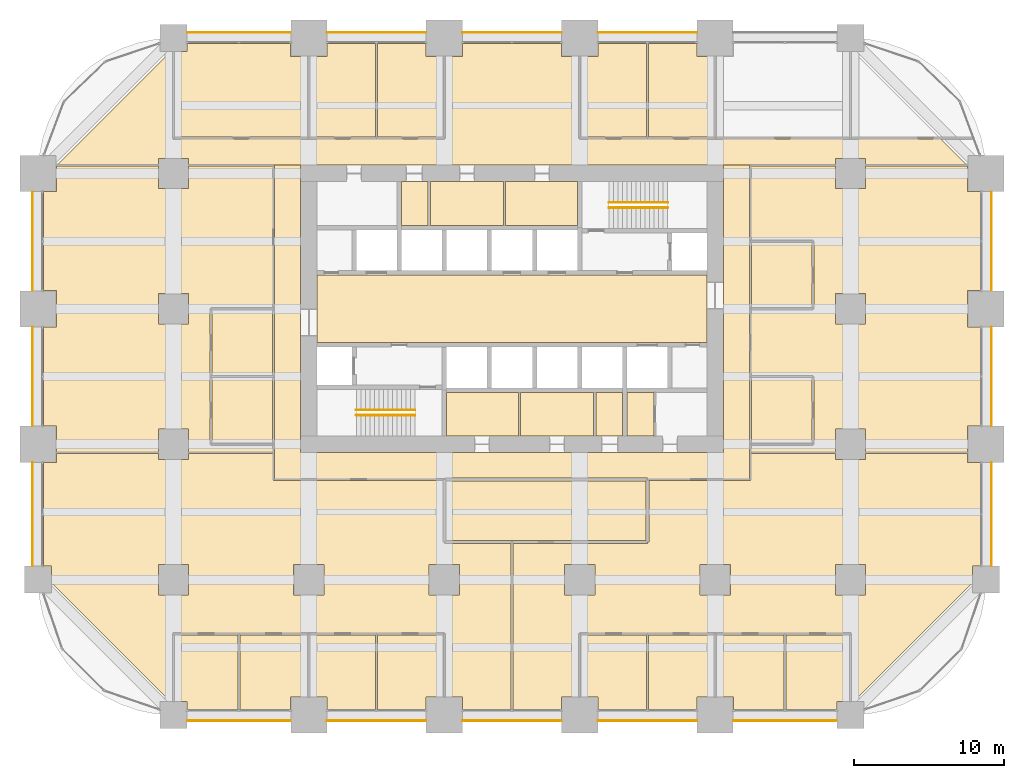
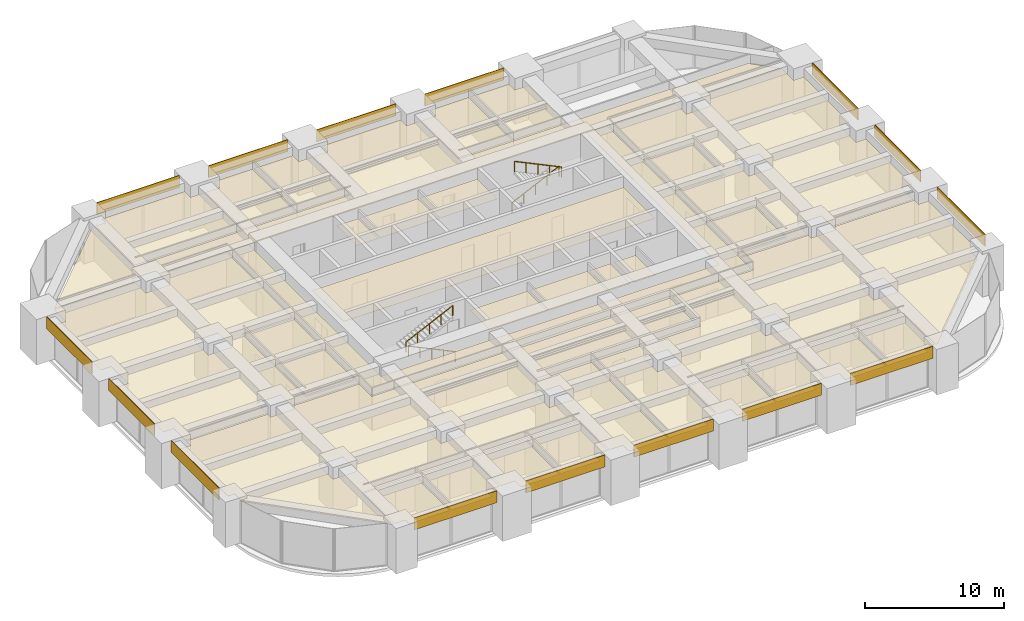
# One storey, part 40 of 41: 47 coverings, 4 railings.
"""IFC4 building model written with IfcOpenShell, lengths in metres."""

from ifc_helpers import new_model, si_unit, direction, frame, frame_2d, origin, origin_2d, place, context, subcontext, project, spatial, polyline, rectangle, circle, outline, extrude, material, layer, layer_set, type_object, element, save


model = new_model("IFC4")

# Units and contexts
model_context = context("Model", 3, precision=1e-05, world=origin(), true_north=direction((0.0, 1.0)))
body_context = subcontext(model_context, "Body", "Model", "MODEL_VIEW")
ifc_project = project(units=[si_unit("LENGTHUNIT", "METRE"), si_unit("AREAUNIT", "SQUARE_METRE"), si_unit("VOLUMEUNIT", "CUBIC_METRE"), si_unit("PLANEANGLEUNIT", "RADIAN"), si_unit("MASSUNIT", "GRAM", prefix="KILO")], contexts=[model_context])

# Site, building, storey
site_placement = place(None, origin())
site = spatial("IfcSite", under=ifc_project, at=site_placement, CompositionType="ELEMENT")
building_placement = place(site_placement, origin())
building = spatial("IfcBuilding", under=site, at=building_placement, Name="Zorevar Civic Tower", CompositionType="ELEMENT")
storey_placement = place(building_placement, frame((0.0, 0.0, 105.0)))
storey = spatial("IfcBuildingStorey", under=building, at=storey_placement, Name="L25", CompositionType="ELEMENT", Elevation=105.0)

# Railings
ifc_material_1 = material(Name="Black steel handrail", Category="steel")
railing_type = type_object("IfcRailingType", Name="Handrail HR1 900", PredefinedType="HANDRAIL", material=ifc_material_1)
railing_1_placement = place(storey_placement, frame((25.050048828125, 19.925048828125, 0.142822265625)))
element("IfcRailing", 1, at=railing_1_placement, inside=storey, type_object=railing_type, Name="Handrail HR1 ST1 L25", PredefinedType="HANDRAIL", context=body_context, shape_type="SweptSolid", body=[
    extrude(circle(Radius=0.02392578125, at=origin_2d()), frame((0.0, 0.0, 0.8759765625), z_axis=(-0.902863652845, 0.0, 0.429926998885), x_axis=(0.0, -1.0, 0.0)), (0.0, 0.0, 1.0), 4.31982421875),
    extrude(circle(Radius=0.02099609375, at=origin_2d()), origin(), (0.0, 0.0, 1.0), 0.851806640625),
    extrude(circle(Radius=0.02099609375, at=origin_2d()), frame((-0.97509765625, 0.0, 0.46435546875)), (0.0, 0.0, 1.0), 0.851806640625),
    extrude(circle(Radius=0.02099609375, at=origin_2d()), frame((-1.9501953125, 0.0, 0.9287109375)), (0.0, 0.0, 1.0), 0.851806640625),
    extrude(circle(Radius=0.02099609375, at=origin_2d()), frame((-2.925048828125, 0.0, 1.392822265625)), (0.0, 0.0, 1.0), 0.851806640625),
    extrude(circle(Radius=0.02099609375, at=origin_2d()), frame((-3.900146484375, 0.0, 1.857177734375)), (0.0, 0.0, 1.0), 0.851806640625),
])
for number, where, name in (
    (2, (21.14990234375, 20.27490234375, 2.142822265625), "Handrail HR1 ST1 L25"),
    (3, (37.949951171875, 34.074951171875, 0.142822265625), "Handrail HR1 ST2 L25"),
):
    element("IfcRailing", number, at=place(storey_placement, frame(where)), inside=storey, type_object=railing_type, Name=name, PredefinedType="HANDRAIL", context=body_context, shape_type="SweptSolid", body=[
        extrude(circle(Radius=0.02392578125, at=origin_2d()), frame((0.0, 0.0, 0.8759765625), z_axis=(0.902863652845, 0.0, 0.429926998885), x_axis=(0.0, 1.0, 0.0)), (0.0, 0.0, 1.0), 4.31982421875),
        extrude(circle(Radius=0.02099609375, at=origin_2d()), origin(), (0.0, 0.0, 1.0), 0.851806640625),
        extrude(circle(Radius=0.02099609375, at=origin_2d()), frame((0.97509765625, 0.0, 0.46435546875)), (0.0, 0.0, 1.0), 0.851806640625),
        extrude(circle(Radius=0.02099609375, at=origin_2d()), frame((1.9501953125, 0.0, 0.9287109375)), (0.0, 0.0, 1.0), 0.851806640625),
        extrude(circle(Radius=0.02099609375, at=origin_2d()), frame((2.925048828125, 0.0, 1.392822265625)), (0.0, 0.0, 1.0), 0.851806640625),
        extrude(circle(Radius=0.02099609375, at=origin_2d()), frame((3.900146484375, 0.0, 1.857177734375)), (0.0, 0.0, 1.0), 0.851806640625),
    ])
railing_2_placement = place(storey_placement, frame((41.85009765625, 33.72509765625, 2.142822265625)))
element("IfcRailing", 4, at=railing_2_placement, inside=storey, type_object=railing_type, Name="Handrail HR1 ST2 L25", PredefinedType="HANDRAIL", context=body_context, shape_type="SweptSolid", body=[
    extrude(circle(Radius=0.02392578125, at=origin_2d()), frame((0.0, 0.0, 0.8759765625), z_axis=(-0.902863652845, 0.0, 0.429926998885), x_axis=(0.0, -1.0, 0.0)), (0.0, 0.0, 1.0), 4.31982421875),
    extrude(circle(Radius=0.02099609375, at=origin_2d()), origin(), (0.0, 0.0, 1.0), 0.851806640625),
    extrude(circle(Radius=0.02099609375, at=origin_2d()), frame((-0.97509765625, 0.0, 0.46435546875)), (0.0, 0.0, 1.0), 0.851806640625),
    extrude(circle(Radius=0.02099609375, at=origin_2d()), frame((-1.9501953125, 0.0, 0.9287109375)), (0.0, 0.0, 1.0), 0.851806640625),
    extrude(circle(Radius=0.02099609375, at=origin_2d()), frame((-2.925048828125, 0.0, 1.392822265625)), (0.0, 0.0, 1.0), 0.851806640625),
    extrude(circle(Radius=0.02099609375, at=origin_2d()), frame((-3.900146484375, 0.0, 1.857177734375)), (0.0, 0.0, 1.0), 0.851806640625),
])

# Coverings
ifc_material_2 = material(Name="Moisture-resistant gypsum board")
ifc_layer_1 = layer(ifc_material_2, 0.012451171875)
ifc_layer_set_1 = layer_set([ifc_layer_1], Name="Moisture-resistant ceiling SC3")
covering_type_1 = type_object("IfcCoveringType", Name="Moisture-resistant ceiling SC3", PredefinedType="CEILING", material=ifc_layer_set_1)
covering_1_placement = place(storey_placement, frame((0.0, 0.0, 3.0)))
element("IfcCovering", 5, at=covering_1_placement, inside=storey, type_object=covering_type_1, Name="Ceiling L25-05", PredefinedType="CEILING", context=body_context, shape_type="SweptSolid", body=[
    extrude(outline(polyline([(31.925048828125, 18.550048828125), (31.925048828125, 21.449951171875), (27.14990234375, 21.449951171875), (27.14990234375, 18.550048828125), (31.925048828125, 18.550048828125)])), origin(), (0.0, 0.0, 1.0), 0.012451171875),
])
covering_2_placement = place(storey_placement, frame((0.0, 0.0, 3.0)))
element("IfcCovering", 6, at=covering_2_placement, inside=storey, type_object=covering_type_1, Name="Ceiling L25-06", PredefinedType="CEILING", context=body_context, shape_type="SweptSolid", body=[
    extrude(outline(polyline([(36.925048828125, 18.550048828125), (36.925048828125, 21.449951171875), (32.074951171875, 21.449951171875), (32.074951171875, 18.550048828125), (36.925048828125, 18.550048828125)])), origin(), (0.0, 0.0, 1.0), 0.012451171875),
])
covering_3_placement = place(storey_placement, frame((0.0, 0.0, 3.0)))
element("IfcCovering", 7, at=covering_3_placement, inside=storey, type_object=covering_type_1, Name="Ceiling L25-07", PredefinedType="CEILING", context=body_context, shape_type="SweptSolid", body=[
    extrude(outline(polyline([(38.85009765625, 18.550048828125), (38.85009765625, 21.449951171875), (37.074951171875, 21.449951171875), (37.074951171875, 18.550048828125), (38.85009765625, 18.550048828125)])), origin(), (0.0, 0.0, 1.0), 0.012451171875),
])
covering_4_placement = place(storey_placement, frame((0.0, 0.0, 3.0)))
element("IfcCovering", 8, at=covering_4_placement, inside=storey, type_object=covering_type_1, Name="Ceiling L25-08", PredefinedType="CEILING", context=body_context, shape_type="SweptSolid", body=[
    extrude(outline(polyline([(35.85009765625, 32.550048828125), (35.85009765625, 35.449951171875), (31.074951171875, 35.449951171875), (31.074951171875, 32.550048828125), (35.85009765625, 32.550048828125)])), origin(), (0.0, 0.0, 1.0), 0.012451171875),
])
covering_5_placement = place(storey_placement, frame((0.0, 0.0, 3.0)))
element("IfcCovering", 9, at=covering_5_placement, inside=storey, type_object=covering_type_1, Name="Ceiling L25-09", PredefinedType="CEILING", context=body_context, shape_type="SweptSolid", body=[
    extrude(outline(polyline([(30.925048828125, 32.550048828125), (30.925048828125, 35.449951171875), (26.074951171875, 35.449951171875), (26.074951171875, 32.550048828125), (30.925048828125, 32.550048828125)])), origin(), (0.0, 0.0, 1.0), 0.012451171875),
])
covering_6_placement = place(storey_placement, frame((0.0, 0.0, 3.0)))
element("IfcCovering", 10, at=covering_6_placement, inside=storey, type_object=covering_type_1, Name="Ceiling L25-10", PredefinedType="CEILING", context=body_context, shape_type="SweptSolid", body=[
    extrude(outline(polyline([(25.925048828125, 32.550048828125), (25.925048828125, 35.449951171875), (24.14990234375, 35.449951171875), (24.14990234375, 32.550048828125), (25.925048828125, 32.550048828125)])), origin(), (0.0, 0.0, 1.0), 0.012451171875),
])
ifc_material_3 = material(Name="Black anodised aluminium spandrel panel", Category="aluminium")
ifc_layer_2 = layer(ifc_material_3, 0.050048828125)
ifc_layer_set_2 = layer_set([ifc_layer_2], Name="Spandrel cladding SP1")
covering_type_2 = type_object("IfcCoveringType", Name="Spandrel cladding SP1", PredefinedType="CLADDING", material=ifc_layer_set_2)
covering_7_placement = place(storey_placement, frame((9.89990234375, -0.375, 2.949951171875), z_axis=(0.0, 0.0, 1.0), x_axis=(1.0, 0.0, 0.0)))
element("IfcCovering", 11, at=covering_7_placement, inside=storey, type_object=covering_type_2, Name="Spandrel cladding L26", PredefinedType="CLADDING", context=body_context, shape_type="SweptSolid", body=[
    extrude(rectangle(XDim=6.900146484375, YDim=0.050048828125, at=frame_2d((3.4501953125, 0.0))), origin(), (0.0, 0.0, 1.0), 1.050048828125),
])
for number, where, z_axis, x_axis, name in (
    (12, (19.199951171875, -0.375, 2.949951171875), (0.0, 0.0, 1.0), (1.0, 0.0, 0.0), "Spandrel cladding L26"),
    (13, (28.199951171875, -0.375, 2.949951171875), (0.0, 0.0, 1.0), (1.0, 0.0, 0.0), "Spandrel cladding L26"),
    (14, (37.199951171875, -0.375, 2.949951171875), (0.0, 0.0, 1.0), (1.0, 0.0, 0.0), "Spandrel cladding L26"),
):
    element("IfcCovering", number, at=place(storey_placement, frame(where, z_axis=z_axis, x_axis=x_axis)), inside=storey, type_object=covering_type_2, Name=name, PredefinedType="CLADDING", context=body_context, shape_type="SweptSolid", body=[
        extrude(rectangle(XDim=6.60009765625, YDim=0.050048828125, at=frame_2d((3.300048828125, 0.0))), origin(), (0.0, 0.0, 1.0), 1.050048828125),
    ])
for number, where, z_axis, x_axis, name in (
    (15, (46.199951171875, -0.375, 2.949951171875), (0.0, 0.0, 1.0), (1.0, 0.0, 0.0), "Spandrel cladding L26"),
    (16, (9.89990234375, 45.375, 2.949951171875), (0.0, 0.0, 1.0), (1.0, 0.0, 0.0), "Spandrel cladding L26"),
):
    element("IfcCovering", number, at=place(storey_placement, frame(where, z_axis=z_axis, x_axis=x_axis)), inside=storey, type_object=covering_type_2, Name=name, PredefinedType="CLADDING", context=body_context, shape_type="SweptSolid", body=[
        extrude(rectangle(XDim=6.900146484375, YDim=0.050048828125, at=frame_2d((3.4501953125, 0.0))), origin(), (0.0, 0.0, 1.0), 1.050048828125),
    ])
for number, where, z_axis, x_axis, name in (
    (17, (19.199951171875, 45.375, 2.949951171875), (0.0, 0.0, 1.0), (1.0, 0.0, 0.0), "Spandrel cladding L26"),
    (18, (28.199951171875, 45.375, 2.949951171875), (0.0, 0.0, 1.0), (1.0, 0.0, 0.0), "Spandrel cladding L26"),
    (19, (37.199951171875, 45.375, 2.949951171875), (0.0, 0.0, 1.0), (1.0, 0.0, 0.0), "Spandrel cladding L26"),
):
    element("IfcCovering", number, at=place(storey_placement, frame(where, z_axis=z_axis, x_axis=x_axis)), inside=storey, type_object=covering_type_2, Name=name, PredefinedType="CLADDING", context=body_context, shape_type="SweptSolid", body=[
        extrude(rectangle(XDim=6.60009765625, YDim=0.050048828125, at=frame_2d((3.300048828125, 0.0))), origin(), (0.0, 0.0, 1.0), 1.050048828125),
    ])
covering_8_placement = place(storey_placement, frame((-0.375, 9.89990234375, 2.949951171875), z_axis=(0.0, 0.0, 1.0), x_axis=(0.0, 1.0, 0.0)))
element("IfcCovering", 20, at=covering_8_placement, inside=storey, type_object=covering_type_2, Name="Spandrel cladding L26", PredefinedType="CLADDING", context=body_context, shape_type="SweptSolid", body=[
    extrude(rectangle(XDim=6.900146484375, YDim=0.050048828125, at=frame_2d((3.4501953125, 0.0))), origin(), (0.0, 0.0, 1.0), 1.050048828125),
])
for number, where, z_axis, x_axis, name in (
    (21, (-0.375, 19.199951171875, 2.949951171875), (0.0, 0.0, 1.0), (0.0, 1.0, 0.0), "Spandrel cladding L26"),
    (22, (-0.375, 28.199951171875, 2.949951171875), (0.0, 0.0, 1.0), (0.0, 1.0, 0.0), "Spandrel cladding L26"),
):
    element("IfcCovering", number, at=place(storey_placement, frame(where, z_axis=z_axis, x_axis=x_axis)), inside=storey, type_object=covering_type_2, Name=name, PredefinedType="CLADDING", context=body_context, shape_type="SweptSolid", body=[
        extrude(rectangle(XDim=6.60009765625, YDim=0.050048828125, at=frame_2d((3.300048828125, 0.0))), origin(), (0.0, 0.0, 1.0), 1.050048828125),
    ])
covering_9_placement = place(storey_placement, frame((63.375, 9.89990234375, 2.949951171875), z_axis=(0.0, 0.0, 1.0), x_axis=(0.0, 1.0, 0.0)))
element("IfcCovering", 23, at=covering_9_placement, inside=storey, type_object=covering_type_2, Name="Spandrel cladding L26", PredefinedType="CLADDING", context=body_context, shape_type="SweptSolid", body=[
    extrude(rectangle(XDim=6.900146484375, YDim=0.050048828125, at=frame_2d((3.4501953125, 0.0))), origin(), (0.0, 0.0, 1.0), 1.050048828125),
])
for number, where, z_axis, x_axis, name in (
    (24, (63.375, 19.199951171875, 2.949951171875), (0.0, 0.0, 1.0), (0.0, 1.0, 0.0), "Spandrel cladding L26"),
    (25, (63.375, 28.199951171875, 2.949951171875), (0.0, 0.0, 1.0), (0.0, 1.0, 0.0), "Spandrel cladding L26"),
):
    element("IfcCovering", number, at=place(storey_placement, frame(where, z_axis=z_axis, x_axis=x_axis)), inside=storey, type_object=covering_type_2, Name=name, PredefinedType="CLADDING", context=body_context, shape_type="SweptSolid", body=[
        extrude(rectangle(XDim=6.60009765625, YDim=0.050048828125, at=frame_2d((3.300048828125, 0.0))), origin(), (0.0, 0.0, 1.0), 1.050048828125),
    ])
ifc_material_4 = material(Name="Mineral fibre tiles on a concealed grid")
ifc_layer_3 = layer(ifc_material_4, 0.02001953125)
ifc_layer_set_3 = layer_set([ifc_layer_3], Name="Suspended ceiling SC1")
covering_type_3 = type_object("IfcCoveringType", Name="Suspended ceiling SC1", PredefinedType="CEILING", material=ifc_layer_set_3)
covering_10_placement = place(storey_placement, frame((0.0, 0.0, 3.0)))
element("IfcCovering", 26, at=covering_10_placement, inside=storey, type_object=covering_type_3, Name="Ceiling L25-11", PredefinedType="CEILING", context=body_context, shape_type="SweptSolid", body=[
    extrude(outline(polyline([(40.93994140625, 18.550048828125), (40.93994140625, 21.449951171875), (39.14990234375, 21.449951171875), (39.14990234375, 18.550048828125), (40.93994140625, 18.550048828125)])), origin(), (0.0, 0.0, 1.0), 0.02001953125),
])
covering_11_placement = place(storey_placement, frame((0.0, 0.0, 3.0)))
element("IfcCovering", 27, at=covering_11_placement, inside=storey, type_object=covering_type_3, Name="Ceiling L25-16", PredefinedType="CEILING", context=body_context, shape_type="SweptSolid", body=[
    extrude(outline(polyline([(44.449951171875, 24.75), (44.449951171875, 29.25), (18.550048828125, 29.25), (18.550048828125, 24.75), (44.449951171875, 24.75)])), origin(), (0.0, 0.0, 1.0), 0.02001953125),
])
covering_12_placement = place(storey_placement, frame((0.0, 0.0, 3.0)))
element("IfcCovering", 28, at=covering_12_placement, inside=storey, type_object=covering_type_3, Name="Ceiling L25-17", PredefinedType="CEILING", context=body_context, shape_type="SweptSolid", body=[
    extrude(outline(polyline([(9.909912109375, 44.090087890625), (9.909912109375, 44.64990234375), (16.7900390625, 44.64990234375), (16.7900390625, 43.7900390625), (17.93994140625, 43.7900390625), (17.93994140625, 38.409912109375), (9.06005859375, 38.409912109375), (9.06005859375, 44.090087890625), (9.909912109375, 44.090087890625)])), origin(), (0.0, 0.0, 1.0), 0.02001953125),
])
covering_13_placement = place(storey_placement, frame((0.0, 0.0, 3.0)))
element("IfcCovering", 29, at=covering_13_placement, inside=storey, type_object=covering_type_3, Name="Ceiling L25-18", PredefinedType="CEILING", context=body_context, shape_type="SweptSolid", body=[
    extrude(outline(polyline([(18.06005859375, 38.409912109375), (18.06005859375, 43.7900390625), (19.2099609375, 43.7900390625), (19.2099609375, 44.64990234375), (22.43994140625, 44.64990234375), (22.43994140625, 38.409912109375), (18.06005859375, 38.409912109375)])), origin(), (0.0, 0.0, 1.0), 0.02001953125),
])
covering_14_placement = place(storey_placement, frame((0.0, 0.0, 3.0)))
element("IfcCovering", 30, at=covering_14_placement, inside=storey, type_object=covering_type_3, Name="Ceiling L25-19", PredefinedType="CEILING", context=body_context, shape_type="SweptSolid", body=[
    extrude(outline(polyline([(22.56005859375, 38.409912109375), (22.56005859375, 44.64990234375), (25.7900390625, 44.64990234375), (25.7900390625, 43.7900390625), (26.93994140625, 43.7900390625), (26.93994140625, 38.409912109375), (22.56005859375, 38.409912109375)])), origin(), (0.0, 0.0, 1.0), 0.02001953125),
])
covering_15_placement = place(storey_placement, frame((0.0, 0.0, 3.0)))
element("IfcCovering", 31, at=covering_15_placement, inside=storey, type_object=covering_type_3, Name="Ceiling L25-20", PredefinedType="CEILING", context=body_context, shape_type="SweptSolid", body=[
    extrude(outline(polyline([(36.06005859375, 38.409912109375), (36.06005859375, 43.7900390625), (37.2099609375, 43.7900390625), (37.2099609375, 44.64990234375), (40.43994140625, 44.64990234375), (40.43994140625, 38.409912109375), (36.06005859375, 38.409912109375)])), origin(), (0.0, 0.0, 1.0), 0.02001953125),
])
covering_16_placement = place(storey_placement, frame((0.0, 0.0, 3.0)))
element("IfcCovering", 32, at=covering_16_placement, inside=storey, type_object=covering_type_3, Name="Ceiling L25-21", PredefinedType="CEILING", context=body_context, shape_type="SweptSolid", body=[
    extrude(outline(polyline([(40.56005859375, 38.409912109375), (40.56005859375, 44.64990234375), (43.7900390625, 44.64990234375), (43.7900390625, 43.7900390625), (44.93994140625, 43.7900390625), (44.93994140625, 38.409912109375), (40.56005859375, 38.409912109375)])), origin(), (0.0, 0.0, 1.0), 0.02001953125),
])
covering_17_placement = place(storey_placement, frame((0.0, 0.0, 3.0)))
element("IfcCovering", 33, at=covering_17_placement, inside=storey, type_object=covering_type_3, Name="Ceiling L25-23", PredefinedType="CEILING", context=body_context, shape_type="SweptSolid", body=[
    extrude(outline(polyline([(13.2900390625, 5.340087890625), (13.2900390625, 0.35009765625), (9.909912109375, 0.35009765625), (9.909912109375, 0.909912109375), (9.06005859375, 0.909912109375), (9.06005859375, 5.340087890625), (13.2900390625, 5.340087890625)])), origin(), (0.0, 0.0, 1.0), 0.02001953125),
])
covering_18_placement = place(storey_placement, frame((0.0, 0.0, 3.0)))
element("IfcCovering", 34, at=covering_18_placement, inside=storey, type_object=covering_type_3, Name="Ceiling L25-24", PredefinedType="CEILING", context=body_context, shape_type="SweptSolid", body=[
    extrude(outline(polyline([(17.93994140625, 5.340087890625), (17.93994140625, 1.2099609375), (16.7900390625, 1.2099609375), (16.7900390625, 0.35009765625), (13.409912109375, 0.35009765625), (13.409912109375, 5.340087890625), (17.93994140625, 5.340087890625)])), origin(), (0.0, 0.0, 1.0), 0.02001953125),
])
covering_19_placement = place(storey_placement, frame((0.0, 0.0, 3.0)))
element("IfcCovering", 35, at=covering_19_placement, inside=storey, type_object=covering_type_3, Name="Ceiling L25-25", PredefinedType="CEILING", context=body_context, shape_type="SweptSolid", body=[
    extrude(outline(polyline([(22.43994140625, 5.340087890625), (22.43994140625, 0.35009765625), (19.2099609375, 0.35009765625), (19.2099609375, 1.2099609375), (18.06005859375, 1.2099609375), (18.06005859375, 5.340087890625), (22.43994140625, 5.340087890625)])), origin(), (0.0, 0.0, 1.0), 0.02001953125),
])
covering_20_placement = place(storey_placement, frame((0.0, 0.0, 3.0)))
element("IfcCovering", 36, at=covering_20_placement, inside=storey, type_object=covering_type_3, Name="Ceiling L25-26", PredefinedType="CEILING", context=body_context, shape_type="SweptSolid", body=[
    extrude(outline(polyline([(26.93994140625, 5.340087890625), (26.93994140625, 1.2099609375), (25.7900390625, 1.2099609375), (25.7900390625, 0.35009765625), (22.56005859375, 0.35009765625), (22.56005859375, 5.340087890625), (26.93994140625, 5.340087890625)])), origin(), (0.0, 0.0, 1.0), 0.02001953125),
])
covering_21_placement = place(storey_placement, frame((0.0, 0.0, 3.0)))
element("IfcCovering", 37, at=covering_21_placement, inside=storey, type_object=covering_type_3, Name="Ceiling L25-27", PredefinedType="CEILING", context=body_context, shape_type="SweptSolid", body=[
    extrude(outline(polyline([(40.43994140625, 5.340087890625), (40.43994140625, 0.35009765625), (37.2099609375, 0.35009765625), (37.2099609375, 1.2099609375), (36.06005859375, 1.2099609375), (36.06005859375, 5.340087890625), (40.43994140625, 5.340087890625)])), origin(), (0.0, 0.0, 1.0), 0.02001953125),
])
covering_22_placement = place(storey_placement, frame((0.0, 0.0, 3.0)))
element("IfcCovering", 38, at=covering_22_placement, inside=storey, type_object=covering_type_3, Name="Ceiling L25-28", PredefinedType="CEILING", context=body_context, shape_type="SweptSolid", body=[
    extrude(outline(polyline([(44.93994140625, 5.340087890625), (44.93994140625, 1.2099609375), (43.7900390625, 1.2099609375), (43.7900390625, 0.35009765625), (40.56005859375, 0.35009765625), (40.56005859375, 5.340087890625), (44.93994140625, 5.340087890625)])), origin(), (0.0, 0.0, 1.0), 0.02001953125),
])
covering_23_placement = place(storey_placement, frame((0.0, 0.0, 3.0)))
element("IfcCovering", 39, at=covering_23_placement, inside=storey, type_object=covering_type_3, Name="Ceiling L25-29", PredefinedType="CEILING", context=body_context, shape_type="SweptSolid", body=[
    extrude(outline(polyline([(49.590087890625, 5.340087890625), (49.590087890625, 0.35009765625), (46.2099609375, 0.35009765625), (46.2099609375, 1.2099609375), (45.06005859375, 1.2099609375), (45.06005859375, 5.340087890625), (49.590087890625, 5.340087890625)])), origin(), (0.0, 0.0, 1.0), 0.02001953125),
])
covering_24_placement = place(storey_placement, frame((0.0, 0.0, 3.0)))
element("IfcCovering", 40, at=covering_24_placement, inside=storey, type_object=covering_type_3, Name="Ceiling L25-30", PredefinedType="CEILING", context=body_context, shape_type="SweptSolid", body=[
    extrude(outline(polyline([(53.93994140625, 5.340087890625), (53.93994140625, 0.909912109375), (53.090087890625, 0.909912109375), (53.090087890625, 0.35009765625), (49.7099609375, 0.35009765625), (49.7099609375, 5.340087890625), (53.93994140625, 5.340087890625)])), origin(), (0.0, 0.0, 1.0), 0.02001953125),
])
covering_25_placement = place(storey_placement, frame((0.0, 0.0, 3.0)))
element("IfcCovering", 41, at=covering_25_placement, inside=storey, type_object=covering_type_3, Name="Ceiling L25-31", PredefinedType="CEILING", context=body_context, shape_type="SweptSolid", body=[
    extrude(outline(polyline([(27.10009765625, 15.550048828125), (40.39990234375, 15.550048828125), (40.39990234375, 11.60009765625), (27.10009765625, 11.60009765625), (27.10009765625, 15.550048828125)])), origin(), (0.0, 0.0, 1.0), 0.02001953125),
])
covering_26_placement = place(storey_placement, frame((0.0, 0.0, 3.0)))
element("IfcCovering", 42, at=covering_26_placement, inside=storey, type_object=covering_type_3, Name="Ceiling L25-32", PredefinedType="CEILING", context=body_context, shape_type="SweptSolid", body=[
    extrude(outline(polyline([(15.590087890625, 22.43994140625), (15.590087890625, 18.06005859375), (11.56005859375, 18.06005859375), (11.56005859375, 22.43994140625), (15.590087890625, 22.43994140625)])), origin(), (0.0, 0.0, 1.0), 0.02001953125),
])
covering_27_placement = place(storey_placement, frame((0.0, 0.0, 3.0)))
element("IfcCovering", 43, at=covering_27_placement, inside=storey, type_object=covering_type_3, Name="Ceiling L25-33", PredefinedType="CEILING", context=body_context, shape_type="SweptSolid", body=[
    extrude(outline(polyline([(11.56005859375, 22.56005859375), (11.56005859375, 26.93994140625), (15.590087890625, 26.93994140625), (15.590087890625, 22.56005859375), (11.56005859375, 22.56005859375)])), origin(), (0.0, 0.0, 1.0), 0.02001953125),
])
covering_28_placement = place(storey_placement, frame((0.0, 0.0, 3.0)))
element("IfcCovering", 44, at=covering_28_placement, inside=storey, type_object=covering_type_3, Name="Ceiling L25-34", PredefinedType="CEILING", context=body_context, shape_type="SweptSolid", body=[
    extrude(outline(polyline([(47.409912109375, 31.43994140625), (51.43994140625, 31.43994140625), (51.43994140625, 27.06005859375), (47.409912109375, 27.06005859375), (47.409912109375, 31.43994140625)])), origin(), (0.0, 0.0, 1.0), 0.02001953125),
])
covering_29_placement = place(storey_placement, frame((0.0, 0.0, 3.0)))
element("IfcCovering", 45, at=covering_29_placement, inside=storey, type_object=covering_type_3, Name="Ceiling L25-35", PredefinedType="CEILING", context=body_context, shape_type="SweptSolid", body=[
    extrude(outline(polyline([(47.409912109375, 22.43994140625), (51.43994140625, 22.43994140625), (51.43994140625, 18.06005859375), (47.409912109375, 18.06005859375), (47.409912109375, 22.43994140625)])), origin(), (0.0, 0.0, 1.0), 0.02001953125),
])
covering_30_placement = place(storey_placement, frame((0.0, 0.0, 3.0)))
element("IfcCovering", 46, at=covering_30_placement, inside=storey, type_object=covering_type_3, Name="Ceiling L25-37", PredefinedType="CEILING", context=body_context, shape_type="SweptSolid", body=[
    extrude(outline(polyline([(47.300048828125, 31.5), (47.2900390625, 31.5), (47.2900390625, 27.0), (47.300048828125, 27.0), (47.300048828125, 22.5), (47.2900390625, 22.5), (47.2900390625, 18.0), (47.300048828125, 18.0), (47.300048828125, 15.699951171875), (40.5, 15.699951171875), (40.5, 15.75), (27.0, 15.75), (27.0, 15.699951171875), (15.699951171875, 15.699951171875), (15.699951171875, 18.0), (15.7099609375, 18.0), (15.7099609375, 27.0), (15.699951171875, 27.0), (15.699951171875, 36.550048828125), (17.449951171875, 36.550048828125), (17.449951171875, 17.449951171875), (45.550048828125, 17.449951171875), (45.550048828125, 36.550048828125), (47.300048828125, 36.550048828125), (47.300048828125, 31.5)])), origin(), (0.0, 0.0, 1.0), 0.02001953125),
])
covering_31_placement = place(storey_placement, frame((0.0, 0.0, 3.0)))
element("IfcCovering", 47, at=covering_31_placement, inside=storey, type_object=covering_type_3, Name="Ceiling L25-38", PredefinedType="CEILING", context=body_context, shape_type="SweptSolid", body=[
    extrude(outline(polyline([(51.5, 22.56005859375), (47.39990234375, 22.56005859375), (47.39990234375, 26.93994140625), (51.5, 26.93994140625), (51.5, 27.0), (51.56005859375, 27.0), (51.56005859375, 31.5), (51.5, 31.5), (51.5, 31.56005859375), (47.39990234375, 31.56005859375), (47.39990234375, 36.5), (52.989990234375, 36.5), (52.989990234375, 34.989990234375), (55.010009765625, 34.989990234375), (55.010009765625, 36.5), (61.7900390625, 36.5), (61.7900390625, 34.7900390625), (62.64990234375, 34.7900390625), (62.64990234375, 28.2099609375), (61.7900390625, 28.2099609375), (61.7900390625, 25.7900390625), (62.64990234375, 25.7900390625), (62.64990234375, 19.2099609375), (61.7900390625, 19.2099609375), (61.7900390625, 17.5), (55.010009765625, 17.5), (55.010009765625, 19.010009765625), (52.989990234375, 19.010009765625), (52.989990234375, 17.5), (47.39990234375, 17.5), (47.39990234375, 17.93994140625), (51.5, 17.93994140625), (51.5, 18.0), (51.56005859375, 18.0), (51.56005859375, 22.5), (51.5, 22.5), (51.5, 22.56005859375)]), holes=[polyline([(55.010009765625, 28.010009765625), (52.989990234375, 28.010009765625), (52.989990234375, 25.989990234375), (55.010009765625, 25.989990234375), (55.010009765625, 28.010009765625)])]), origin(), (0.0, 0.0, 1.0), 0.02001953125),
])
covering_32_placement = place(storey_placement, frame((0.0, 0.0, 3.0)))
element("IfcCovering", 48, at=covering_32_placement, inside=storey, type_object=covering_type_3, Name="Ceiling L25-39", PredefinedType="CEILING", context=body_context, shape_type="SweptSolid", body=[
    extrude(outline(polyline([(27.0, 38.2900390625), (27.0, 38.35009765625), (27.06005859375, 38.35009765625), (27.06005859375, 43.7900390625), (28.2099609375, 43.7900390625), (28.2099609375, 44.64990234375), (34.7900390625, 44.64990234375), (34.7900390625, 43.7900390625), (35.93994140625, 43.7900390625), (35.93994140625, 38.35009765625), (36.0, 38.35009765625), (36.0, 38.2900390625), (60.0029296875, 38.2900390625), (61.69287109375, 36.60009765625), (55.010009765625, 36.60009765625), (55.010009765625, 37.010009765625), (52.989990234375, 37.010009765625), (52.989990234375, 36.60009765625), (47.35009765625, 36.60009765625), (47.35009765625, 36.550048828125), (15.64990234375, 36.550048828125), (15.64990234375, 36.60009765625), (10.010009765625, 36.60009765625), (10.010009765625, 37.010009765625), (7.989990234375, 37.010009765625), (7.989990234375, 36.60009765625), (1.30712890625, 36.60009765625), (8.797119140625, 44.090087890625), (8.93994140625, 44.090087890625), (8.93994140625, 38.35009765625), (9.0, 38.35009765625), (9.0, 38.2900390625), (27.0, 38.2900390625)])), origin(), (0.0, 0.0, 1.0), 0.02001953125),
])
covering_33_placement = place(storey_placement, frame((0.0, 0.0, 3.0)))
element("IfcCovering", 49, at=covering_33_placement, inside=storey, type_object=covering_type_3, Name="Ceiling L25-40", PredefinedType="CEILING", context=body_context, shape_type="SweptSolid", body=[
    extrude(outline(polyline([(0.909912109375, 9.909912109375), (0.35009765625, 9.909912109375), (0.35009765625, 16.7900390625), (1.2099609375, 16.7900390625), (1.2099609375, 17.39990234375), (7.989990234375, 17.39990234375), (7.989990234375, 16.989990234375), (10.010009765625, 16.989990234375), (10.010009765625, 17.39990234375), (15.60009765625, 17.39990234375), (15.60009765625, 15.64990234375), (15.64990234375, 15.64990234375), (15.64990234375, 15.60009765625), (26.89990234375, 15.60009765625), (26.89990234375, 11.5), (27.0, 11.5), (27.0, 11.39990234375), (31.449951171875, 11.39990234375), (31.449951171875, 0.35009765625), (28.2099609375, 0.35009765625), (28.2099609375, 1.2099609375), (27.06005859375, 1.2099609375), (27.06005859375, 5.39990234375), (27.0, 5.39990234375), (27.0, 5.4599609375), (9.0, 5.4599609375), (9.0, 5.39990234375), (8.93994140625, 5.39990234375), (8.93994140625, 0.909912109375), (8.797119140625, 0.909912109375), (0.909912109375, 8.797119140625), (0.909912109375, 9.909912109375)]), holes=[polyline([(7.989990234375, 10.010009765625), (7.989990234375, 7.989990234375), (10.010009765625, 7.989990234375), (10.010009765625, 10.010009765625), (7.989990234375, 10.010009765625)]), polyline([(19.010009765625, 7.989990234375), (19.010009765625, 10.010009765625), (16.989990234375, 10.010009765625), (16.989990234375, 7.989990234375), (19.010009765625, 7.989990234375)]), polyline([(25.989990234375, 10.010009765625), (25.989990234375, 7.989990234375), (28.010009765625, 7.989990234375), (28.010009765625, 10.010009765625), (25.989990234375, 10.010009765625)])]), origin(), (0.0, 0.0, 1.0), 0.02001953125),
])
covering_34_placement = place(storey_placement, frame((0.0, 0.0, 3.0)))
element("IfcCovering", 50, at=covering_34_placement, inside=storey, type_object=covering_type_3, Name="Ceiling L25-41", PredefinedType="CEILING", context=body_context, shape_type="SweptSolid", body=[
    extrude(outline(polyline([(62.090087890625, 9.909912109375), (62.090087890625, 8.797119140625), (54.202880859375, 0.909912109375), (54.06005859375, 0.909912109375), (54.06005859375, 5.39990234375), (54.0, 5.39990234375), (54.0, 5.4599609375), (36.0, 5.4599609375), (36.0, 5.39990234375), (35.93994140625, 5.39990234375), (35.93994140625, 1.2099609375), (34.7900390625, 1.2099609375), (34.7900390625, 0.35009765625), (31.550048828125, 0.35009765625), (31.550048828125, 11.39990234375), (40.5, 11.39990234375), (40.5, 11.5), (40.60009765625, 11.5), (40.60009765625, 15.60009765625), (47.35009765625, 15.60009765625), (47.35009765625, 15.64990234375), (47.39990234375, 15.64990234375), (47.39990234375, 17.39990234375), (52.989990234375, 17.39990234375), (52.989990234375, 16.989990234375), (55.010009765625, 16.989990234375), (55.010009765625, 17.39990234375), (61.7900390625, 17.39990234375), (61.7900390625, 16.7900390625), (62.64990234375, 16.7900390625), (62.64990234375, 9.909912109375), (62.090087890625, 9.909912109375)]), holes=[polyline([(37.010009765625, 7.989990234375), (37.010009765625, 10.010009765625), (34.989990234375, 10.010009765625), (34.989990234375, 7.989990234375), (37.010009765625, 7.989990234375)]), polyline([(43.989990234375, 7.989990234375), (46.010009765625, 7.989990234375), (46.010009765625, 10.010009765625), (43.989990234375, 10.010009765625), (43.989990234375, 7.989990234375)]), polyline([(55.010009765625, 10.010009765625), (52.989990234375, 10.010009765625), (52.989990234375, 7.989990234375), (55.010009765625, 7.989990234375), (55.010009765625, 10.010009765625)])]), origin(), (0.0, 0.0, 1.0), 0.02001953125),
])
covering_35_placement = place(storey_placement, frame((0.0, 0.0, 3.0)))
element("IfcCovering", 51, at=covering_35_placement, inside=storey, type_object=covering_type_3, Name="Ceiling L25-42", PredefinedType="CEILING", context=body_context, shape_type="SweptSolid", body=[
    extrude(outline(polyline([(10.010009765625, 17.5), (10.010009765625, 19.010009765625), (7.989990234375, 19.010009765625), (7.989990234375, 17.5), (1.2099609375, 17.5), (1.2099609375, 19.2099609375), (0.35009765625, 19.2099609375), (0.35009765625, 25.7900390625), (1.2099609375, 25.7900390625), (1.2099609375, 28.2099609375), (0.35009765625, 28.2099609375), (0.35009765625, 34.7900390625), (1.2099609375, 34.7900390625), (1.2099609375, 36.5), (7.989990234375, 36.5), (7.989990234375, 34.989990234375), (10.010009765625, 34.989990234375), (10.010009765625, 36.5), (15.60009765625, 36.5), (15.60009765625, 27.06005859375), (11.5, 27.06005859375), (11.5, 27.0), (11.43994140625, 27.0), (11.43994140625, 18.0), (11.5, 18.0), (11.5, 17.93994140625), (15.60009765625, 17.93994140625), (15.60009765625, 17.5), (10.010009765625, 17.5)]), holes=[polyline([(7.989990234375, 28.010009765625), (7.989990234375, 25.989990234375), (10.010009765625, 25.989990234375), (10.010009765625, 28.010009765625), (7.989990234375, 28.010009765625)])]), origin(), (0.0, 0.0, 1.0), 0.02001953125),
])

save(model, "model.ifc")
